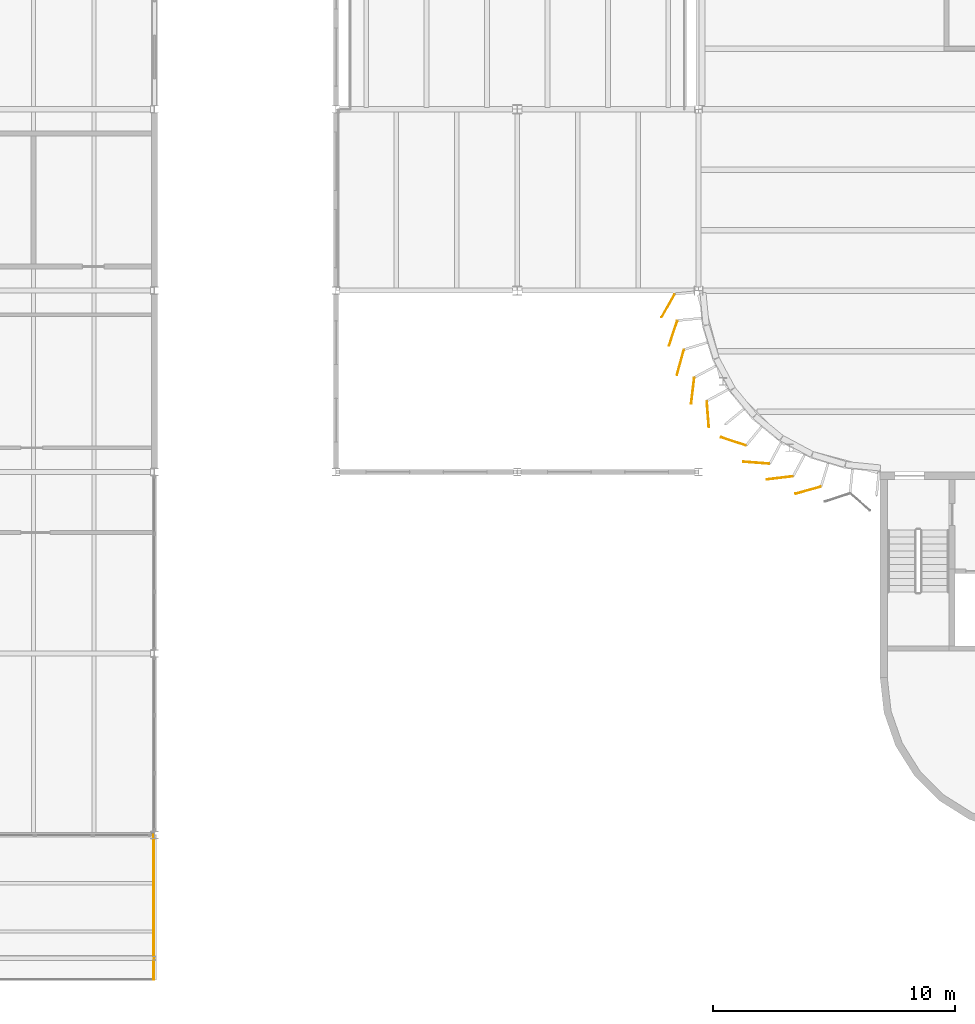
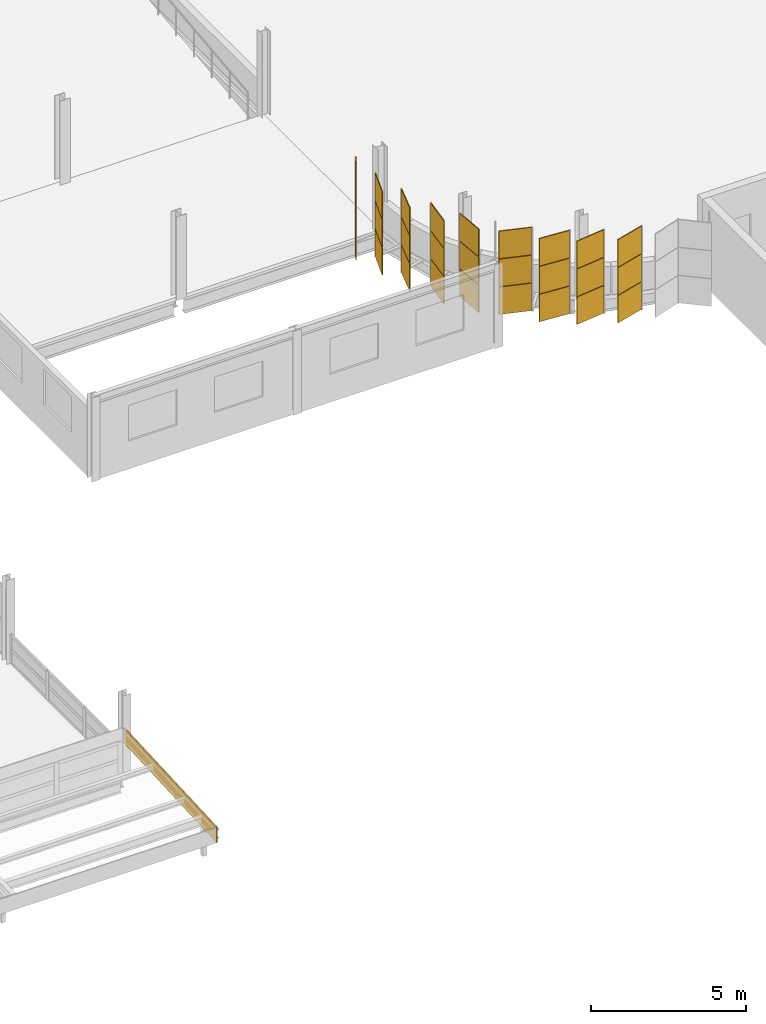
# One storey, part 201 of 214: 28 coverings.
"""IFC4 building model written with IfcOpenShell, lengths in metres."""

from ifc_helpers import new_model, si_unit, direction, frame, origin, origin_2d, place, context, subcontext, project, spatial, polyline, rectangle, outline, extrude, material, layer, layer_set, type_object, element, save


model = new_model("IFC4")

# Units and contexts
model_context = context("Model", 3, precision=1e-05, world=origin(), true_north=direction((0.0, 1.0)))
body_context = subcontext(model_context, "Body", "Model", "MODEL_VIEW")
ifc_project = project(units=[si_unit("LENGTHUNIT", "METRE"), si_unit("AREAUNIT", "SQUARE_METRE"), si_unit("VOLUMEUNIT", "CUBIC_METRE"), si_unit("PLANEANGLEUNIT", "RADIAN"), si_unit("MASSUNIT", "GRAM", prefix="KILO")], contexts=[model_context])

# Site, building, storey
site_placement = place(None, origin())
site = spatial("IfcSite", under=ifc_project, at=site_placement, CompositionType="ELEMENT")
building_placement = place(site_placement, origin())
building = spatial("IfcBuilding", under=site, at=building_placement, Name="Parallax Yard Mobility Hub", CompositionType="ELEMENT")
storey_placement = place(building_placement, frame((0.0, 0.0, 3.300048828125)))
storey = spatial("IfcBuildingStorey", under=building, at=storey_placement, Name="L01", CompositionType="ELEMENT", Elevation=3.300048828125)

# Coverings
ifc_material_1 = material(Name="Aluminium composite fascia panel", Category="aluminium")
ifc_layer_1 = layer(ifc_material_1, 0.0400390625)
ifc_layer_set_1 = layer_set([ifc_layer_1], Name="Roof fascia 600")
covering_type_1 = type_object("IfcCoveringType", Name="Roof fascia 600", PredefinedType="CLADDING", material=ifc_layer_set_1)
covering_placement = place(storey_placement, frame((172.4599609375, 1.5, 1.630615234375), z_axis=(-1.0, 0.0, 0.0), x_axis=(0.0, 0.998751933465, 0.049945724537)))
element("IfcCovering", 1, at=covering_placement, inside=storey, type_object=covering_type_1, Name="Fascia on roof edge AR-V6-PL edge 2", PredefinedType="CLADDING", context=body_context, shape_type="SweptSolid", body=[
    extrude(outline(polyline([(0.0, 0.0), (6.007497756908378, 0.0), (5.977525444673835, 0.5993486944476131), (-0.0299723122345425, 0.5993486944476131), (0.0, 0.0)])), origin(), (0.0, 0.0, -1.0), 0.0400390625),
])
ifc_material_2 = material(Name="Aluminium panel, light oak finish", Category="aluminium")
ifc_layer_2 = layer(ifc_material_2, 0.030029296875)
ifc_layer_set_2 = layer_set([ifc_layer_2], Name="Skin panel 32.5 degree turn, oak finish")
covering_type_2 = type_object("IfcCoveringType", Name="Skin panel 32.5 degree turn, oak finish", PredefinedType="CLADDING", material=ifc_layer_set_2)
for number, where, z_axis, x_axis, name in (
    (2, (194.244140625, 27.02880859375, 1.119873046875), (0.0, 0.0, 1.0), (-0.269340053953, -0.963045136708, 0.0), "Skin panel 32.5 bay 30.3 row 2 level L01"),
    (3, (194.244140625, 27.02880859375, 2.219970703125), (0.0, 0.0, 1.0), (-0.269340053953, -0.963045136708, 0.0), "Skin panel 32.5 bay 30.3 row 3 level L01"),
    (4, (196.43359375, 23.7685546875, 1.119873046875), (0.0, 0.0, 1.0), (-0.950380082985, 0.311091140771, 0.0), "Skin panel 32.5 bay 30.6 row 2 level L01"),
    (5, (196.43359375, 23.7685546875, 2.219970703125), (0.0, 0.0, 1.0), (-0.950380082985, 0.311091140771, 0.0), "Skin panel 32.5 bay 30.6 row 3 level L01"),
    (6, (199.5244140625, 21.74560546875, 1.119873046875), (0.0, 0.0, 1.0), (-0.963045136708, -0.269340053953, 0.0), "Skin panel 32.5 bay 30.9 row 2 level L01"),
    (7, (199.5244140625, 21.74560546875, 2.219970703125), (0.0, 0.0, 1.0), (-0.963045136708, -0.269340053953, 0.0), "Skin panel 32.5 bay 30.9 row 3 level L01"),
):
    element("IfcCovering", number, at=place(storey_placement, frame(where, z_axis=z_axis, x_axis=x_axis)), inside=storey, type_object=covering_type_2, Name=name, ObjectType="SCREEN", PredefinedType="CLADDING", context=body_context, shape_type="SweptSolid", body=[
        extrude(rectangle(XDim=1.080078125, YDim=0.030029296875, at=origin_2d()), origin(), (0.0, 0.0, 1.0), 1.080078125),
    ])
ifc_material_3 = material(Name="Aluminium panel, walnut finish", Category="aluminium")
ifc_layer_3 = layer(ifc_material_3, 0.030029296875)
ifc_layer_set_3 = layer_set([ifc_layer_3], Name="Skin panel 32.5 degree turn, walnut finish")
covering_type_3 = type_object("IfcCoveringType", Name="Skin panel 32.5 degree turn, walnut finish", PredefinedType="CLADDING", material=ifc_layer_set_3)
for number, where, z_axis, x_axis, name in (
    (8, (194.244140625, 27.02880859375, 0.02001953125), (0.0, 0.0, 1.0), (-0.269340053953, -0.963045136708, 0.0), "Skin panel 32.5 bay 30.3 row 1 level L01"),
    (9, (196.43359375, 23.7685546875, 0.02001953125), (0.0, 0.0, 1.0), (-0.950380082985, 0.311091140771, 0.0), "Skin panel 32.5 bay 30.6 row 1 level L01"),
    (10, (199.5244140625, 21.74560546875, 0.02001953125), (0.0, 0.0, 1.0), (-0.963045136708, -0.269340053953, 0.0), "Skin panel 32.5 bay 30.9 row 1 level L01"),
):
    element("IfcCovering", number, at=place(storey_placement, frame(where, z_axis=z_axis, x_axis=x_axis)), inside=storey, type_object=covering_type_3, Name=name, ObjectType="SCREEN", PredefinedType="CLADDING", context=body_context, shape_type="SweptSolid", body=[
        extrude(rectangle(XDim=1.080078125, YDim=0.030029296875, at=origin_2d()), origin(), (0.0, 0.0, 1.0), 1.080078125),
    ])
ifc_layer_4 = layer(ifc_material_2, 0.030029296875)
ifc_layer_set_4 = layer_set([ifc_layer_4], Name="Skin panel 35 degree turn, oak finish")
covering_type_4 = type_object("IfcCoveringType", Name="Skin panel 35 degree turn, oak finish", PredefinedType="CLADDING", material=ifc_layer_set_4)
for number, where, z_axis, x_axis, name in (
    (11, (193.736328125, 29.37158203125, 1.119873046875), (0.0, 0.0, 1.0), (-0.490523568159, -0.87142792535, 0.0), "Skin panel 35 bay 30.1 row 2 level L01"),
    (12, (193.736328125, 29.37158203125, 2.219970703125), (0.0, 0.0, 1.0), (-0.490523568159, -0.87142792535, 0.0), "Skin panel 35 bay 30.1 row 3 level L01"),
    (13, (193.94384765625, 28.23486328125, 1.119873046875), (0.0, 0.0, 1.0), (-0.311091140771, -0.950380082985, 0.0), "Skin panel 35 bay 30.2 row 2 level L01"),
    (14, (193.94384765625, 28.23486328125, 2.219970703125), (0.0, 0.0, 1.0), (-0.311091140771, -0.950380082985, 0.0), "Skin panel 35 bay 30.2 row 3 level L01"),
    (15, (194.755126953125, 25.85791015625, 1.119873046875), (0.0, 0.0, 1.0), (-0.119703655305, -0.992809667009, 0.0), "Skin panel 35 bay 30.4 row 2 level L01"),
    (16, (194.755126953125, 25.85791015625, 2.219970703125), (0.0, 0.0, 1.0), (-0.119703655305, -0.992809667009, 0.0), "Skin panel 35 bay 30.4 row 3 level L01"),
    (17, (195.3818359375, 24.886962890625, 1.119873046875), (0.0, 0.0, 1.0), (0.076283974504, -0.997086132304, 0.0), "Skin panel 35 bay 30.5 row 2 level L01"),
    (18, (195.3818359375, 24.886962890625, 2.219970703125), (0.0, 0.0, 1.0), (0.076283974504, -0.997086132304, 0.0), "Skin panel 35 bay 30.5 row 3 level L01"),
    (19, (197.383056640625, 22.8837890625, 1.119873046875), (0.0, 0.0, 1.0), (-0.997086132304, 0.076283974504, 0.0), "Skin panel 35 bay 30.7 row 2 level L01"),
    (20, (197.383056640625, 22.8837890625, 2.219970703125), (0.0, 0.0, 1.0), (-0.997086132304, 0.076283974504, 0.0), "Skin panel 35 bay 30.7 row 3 level L01"),
    (21, (198.35400390625, 22.257080078125, 1.119873046875), (0.0, 0.0, 1.0), (-0.992809667009, -0.119703655305, 0.0), "Skin panel 35 bay 30.8 row 2 level L01"),
    (22, (198.35400390625, 22.257080078125, 2.219970703125), (0.0, 0.0, 1.0), (-0.992809667009, -0.119703655305, 0.0), "Skin panel 35 bay 30.8 row 3 level L01"),
):
    element("IfcCovering", number, at=place(storey_placement, frame(where, z_axis=z_axis, x_axis=x_axis)), inside=storey, type_object=covering_type_4, Name=name, ObjectType="SCREEN", PredefinedType="CLADDING", context=body_context, shape_type="SweptSolid", body=[
        extrude(rectangle(XDim=1.080078125, YDim=0.030029296875, at=origin_2d()), origin(), (0.0, 0.0, 1.0), 1.080078125),
    ])
ifc_layer_5 = layer(ifc_material_3, 0.030029296875)
ifc_layer_set_5 = layer_set([ifc_layer_5], Name="Skin panel 35 degree turn, walnut finish")
covering_type_5 = type_object("IfcCoveringType", Name="Skin panel 35 degree turn, walnut finish", PredefinedType="CLADDING", material=ifc_layer_set_5)
for number, where, z_axis, x_axis, name in (
    (23, (193.736328125, 29.37158203125, 0.02001953125), (0.0, 0.0, 1.0), (-0.490523568159, -0.87142792535, 0.0), "Skin panel 35 bay 30.1 row 1 level L01"),
    (24, (193.94384765625, 28.23486328125, 0.02001953125), (0.0, 0.0, 1.0), (-0.311091140771, -0.950380082985, 0.0), "Skin panel 35 bay 30.2 row 1 level L01"),
    (25, (194.755126953125, 25.85791015625, 0.02001953125), (0.0, 0.0, 1.0), (-0.119703655305, -0.992809667009, 0.0), "Skin panel 35 bay 30.4 row 1 level L01"),
    (26, (195.3818359375, 24.886962890625, 0.02001953125), (0.0, 0.0, 1.0), (0.076283974504, -0.997086132304, 0.0), "Skin panel 35 bay 30.5 row 1 level L01"),
    (27, (197.383056640625, 22.8837890625, 0.02001953125), (0.0, 0.0, 1.0), (-0.997086132304, 0.076283974504, 0.0), "Skin panel 35 bay 30.7 row 1 level L01"),
    (28, (198.35400390625, 22.257080078125, 0.02001953125), (0.0, 0.0, 1.0), (-0.992809667009, -0.119703655305, 0.0), "Skin panel 35 bay 30.8 row 1 level L01"),
):
    element("IfcCovering", number, at=place(storey_placement, frame(where, z_axis=z_axis, x_axis=x_axis)), inside=storey, type_object=covering_type_5, Name=name, ObjectType="SCREEN", PredefinedType="CLADDING", context=body_context, shape_type="SweptSolid", body=[
        extrude(rectangle(XDim=1.080078125, YDim=0.030029296875, at=origin_2d()), origin(), (0.0, 0.0, 1.0), 1.080078125),
    ])

save(model, "model.ifc")
